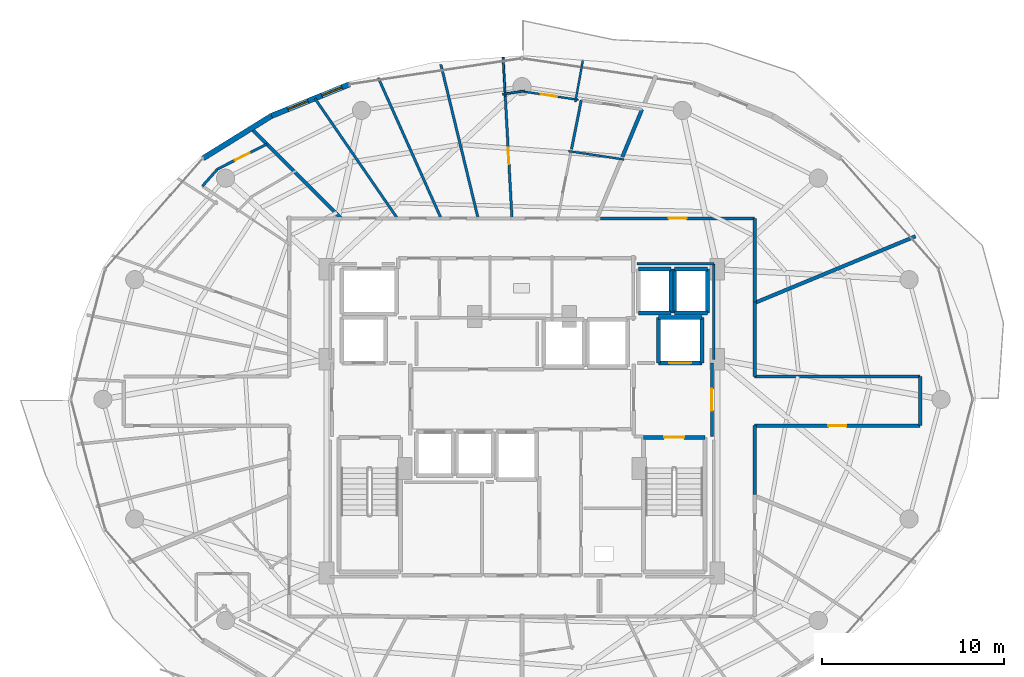
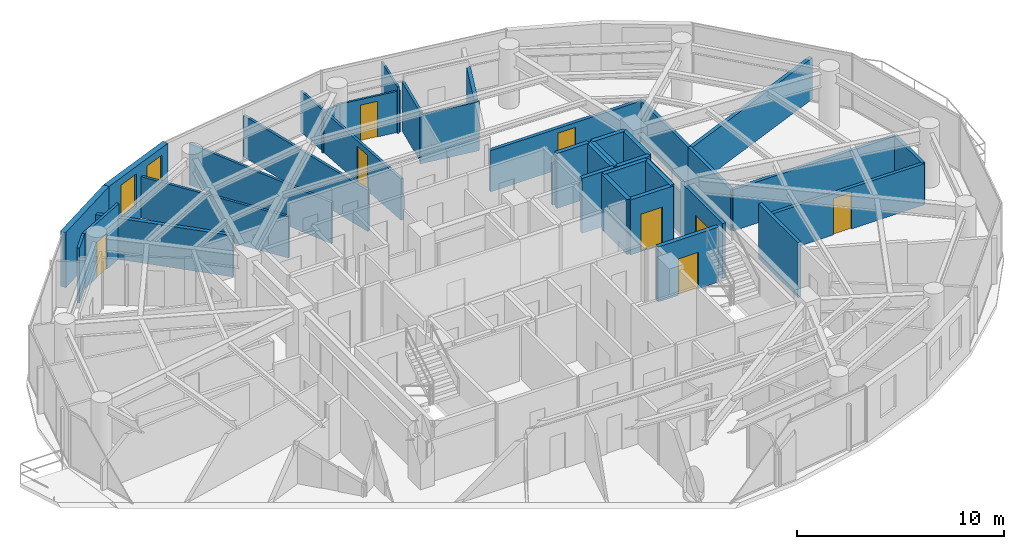
# One storey, part 24 of 28: 39 walls, 8 doors, 2 windows, 10 openings.
"""IFC4 building model written with IfcOpenShell, lengths in metres."""

from ifc_helpers import new_model, si_unit, direction, frame, frame_2d, origin, place, context, subcontext, project, spatial, rectangle, extrude, material, layer, layer_set, type_object, element, fill, save


model = new_model("IFC4")

# Units and contexts
model_context = context("Model", 3, precision=1e-05, world=origin(), true_north=direction((0.0, 1.0)))
body_context = subcontext(model_context, "Body", "Model", "MODEL_VIEW")
ifc_project = project(units=[si_unit("LENGTHUNIT", "METRE"), si_unit("AREAUNIT", "SQUARE_METRE"), si_unit("VOLUMEUNIT", "CUBIC_METRE"), si_unit("PLANEANGLEUNIT", "RADIAN"), si_unit("MASSUNIT", "GRAM", prefix="KILO")], contexts=[model_context])

# Site, building, storey
site_placement = place(None, origin())
site = spatial("IfcSite", under=ifc_project, at=site_placement, CompositionType="ELEMENT")
building_placement = place(site_placement, origin())
building = spatial("IfcBuilding", under=site, at=building_placement, Name="Vorneva Point Tower", CompositionType="ELEMENT")
storey_placement = place(building_placement, frame((0.0, 0.0, 164.10009765625)))
storey = spatial("IfcBuildingStorey", under=building, at=storey_placement, Name="L44", CompositionType="ELEMENT", Elevation=164.10009765625)

# Wall, opening, door
ifc_material_1 = material(Name="Concrete B60 (C50/60)", Category="concrete")
ifc_layer_1 = layer(ifc_material_1, 0.5)
ifc_layer_set_1 = layer_set([ifc_layer_1], Name="Concrete B60 (C50/60)")
wall_type_1 = type_object("IfcWallType", Name="WL-CORE-500", PredefinedType="SHEAR", material=ifc_layer_set_1)
wall_1_placement = place(storey_placement, frame((45.5, 28.0, 0.0), z_axis=(0.0, 0.0, 1.0), x_axis=(1.0, 0.0, 0.0)))
wall_1 = element("IfcWall", 1, at=wall_1_placement, inside=storey, type_object=wall_type_1, Name="L44 Lift FFL2 Shaft Wall -Y", PredefinedType="SHEAR", context=body_context, shape_type="SweptSolid", body=[
    extrude(rectangle(XDim=2.39990234375, YDim=0.219970703125, at=frame_2d((1.199951171875, 0.0))), origin(), (0.0, 0.0, 1.0), 3.239990234375),
])
opening_1_placement = place(wall_1_placement, frame((0.60009765625, 0.0, 0.0)))
opening_1 = element("IfcOpeningElement", 2, at=opening_1_placement, cuts=wall_1, Name="Opening LD-02", PredefinedType="OPENING", context=body_context, shape_type="SweptSolid", body=[
    extrude(rectangle(XDim=1.199951171875, YDim=2.199951171875, at=frame_2d((0.60009765625, 1.10009765625))), frame((0.0, 0.125, 0.0), z_axis=(0.0, -1.0, 0.0), x_axis=(1.0, 0.0, 0.0)), (0.0, 0.0, 1.0), 0.249755859375),
])
ifc_material_2 = material(Name="Brushed stainless steel S304", Category="steel")
door_type_1 = type_object("IfcDoorType", Name="LD-FIRE-1200", OperationType="SLIDING_TO_LEFT", PredefinedType="DOOR", material=ifc_material_2)
door_1_placement = place(opening_1_placement, origin())
door_1 = element("IfcDoor", 3, at=door_1_placement, inside=storey, type_object=door_type_1, Name="L44 Lift FFL2 Sliding Landing Door", OperationType="SLIDING_TO_LEFT", OverallHeight=2.199951171875, OverallWidth=1.199951171875, PredefinedType="DOOR", context=body_context, shape_type="SweptSolid", body=[
    extrude(rectangle(XDim=1.199951171875, YDim=2.199951171875, at=frame_2d((0.60009765625, 1.10009765625))), frame((0.0, 0.02490234375, 0.0), z_axis=(0.0, -1.0, 0.0), x_axis=(1.0, 0.0, 0.0)), (0.0, 0.0, 1.0), 0.050048828125),
])
fill(opening_1, door_1)

# Walls
wall_2_placement = place(storey_placement, frame((47.89990234375, 28.0, 0.0), z_axis=(0.0, 0.0, 1.0), x_axis=(0.0, 1.0, 0.0)))
element("IfcWall", 4, at=wall_2_placement, inside=storey, type_object=wall_type_1, Name="L44 Lift FFL2 Shaft Wall +X", PredefinedType="SHEAR", context=body_context, shape_type="SweptSolid", body=[
    extrude(rectangle(XDim=2.5, YDim=0.219970703125, at=frame_2d((1.25, 0.0))), origin(), (0.0, 0.0, 1.0), 3.239990234375),
])
wall_3_placement = place(storey_placement, frame((47.89990234375, 30.5, 0.0), z_axis=(0.0, 0.0, 1.0), x_axis=(-1.0, 0.0, 0.0)))
element("IfcWall", 5, at=wall_3_placement, inside=storey, type_object=wall_type_1, Name="L44 Lift FFL2 Shaft Wall +Y", PredefinedType="SHEAR", context=body_context, shape_type="SweptSolid", body=[
    extrude(rectangle(XDim=2.39990234375, YDim=0.219970703125, at=frame_2d((1.199951171875, 0.0))), origin(), (0.0, 0.0, 1.0), 3.239990234375),
])
wall_4_placement = place(storey_placement, frame((45.5, 30.5, 0.0), z_axis=(0.0, 0.0, 1.0), x_axis=(0.0, -1.0, 0.0)))
element("IfcWall", 6, at=wall_4_placement, inside=storey, type_object=wall_type_1, Name="L44 Lift FFL2 Shaft Wall -X", PredefinedType="SHEAR", context=body_context, shape_type="SweptSolid", body=[
    extrude(rectangle(XDim=2.5, YDim=0.219970703125, at=frame_2d((1.25, 0.0))), origin(), (0.0, 0.0, 1.0), 3.239990234375),
])

# Wall, openings, windows
ifc_material_3 = material(Name="Precast concrete B50 (C40/50)", Category="concrete")
ifc_layer_2 = layer(ifc_material_3, 0.300048828125)
ifc_layer_set_2 = layer_set([ifc_layer_2], Name="Precast concrete B50 (C40/50)")
wall_type_2 = type_object("IfcWallType", Name="WL-EXT-300", PredefinedType="STANDARD", material=ifc_layer_set_2)
wall_5_placement = place(storey_placement, frame((28.509521484375, 43.32275390625, 0.0), z_axis=(0.0, 0.0, 1.0), x_axis=(-0.927156504392, -0.374674280359, 0.0)))
wall_5 = element("IfcWall", 7, at=wall_5_placement, inside=storey, type_object=wall_type_2, Name="L44 Pale-Metal Facade Spandrel Wall 06.1", PredefinedType="STANDARD", context=body_context, shape_type="SweptSolid", body=[
    extrude(rectangle(XDim=4.62451171875, YDim=0.300048828125, at=frame_2d((2.312255859375, 0.0))), origin(), (0.0, 0.0, 1.0), 3.239990234375),
])
opening_2_placement = place(wall_5_placement, frame((0.4365234375, 0.0, 0.85009765625)))
opening_2 = element("IfcOpeningElement", 8, at=opening_2_placement, cuts=wall_5, Name="Opening W-04", PredefinedType="OPENING", context=body_context, shape_type="SweptSolid", body=[
    extrude(rectangle(XDim=1.199951171875, YDim=1.949951171875, at=frame_2d((0.60009765625, 0.97509765625))), frame((0.0, 0.1650390625, 0.0), z_axis=(0.0, -1.0, 0.0), x_axis=(1.0, 0.0, 0.0)), (0.0, 0.0, 1.0), 0.329833984375),
])
opening_3_placement = place(wall_5_placement, frame((2.453857421875, 0.0, 0.85009765625)))
opening_3 = element("IfcOpeningElement", 9, at=opening_3_placement, cuts=wall_5, Name="Opening W-04", PredefinedType="OPENING", context=body_context, shape_type="SweptSolid", body=[
    extrude(rectangle(XDim=1.199951171875, YDim=1.949951171875, at=frame_2d((0.60009765625, 0.97509765625))), frame((0.0, 0.1650390625, 0.0), z_axis=(0.0, -1.0, 0.0), x_axis=(1.0, 0.0, 0.0)), (0.0, 0.0, 1.0), 0.329833984375),
])
ifc_material_4 = material(Name="Double low-e laminated glass IGU", Category="glass")
window_type = type_object("IfcWindowType", Name="WN-RES-1200", PartitioningType="SINGLE_PANEL", PredefinedType="WINDOW", material=ifc_material_4)
window_1_placement = place(opening_2_placement, origin())
window_1 = element("IfcWindow", 10, at=window_1_placement, inside=storey, type_object=window_type, Name="L44 Dwelling Vision Window 01", OverallHeight=1.949951171875, OverallWidth=1.199951171875, PartitioningType="SINGLE_PANEL", PredefinedType="WINDOW", context=body_context, shape_type="SweptSolid", body=[
    extrude(rectangle(XDim=1.199951171875, YDim=1.949951171875, at=frame_2d((0.60009765625, 0.97509765625))), frame((0.0, 0.030029296875, 0.0), z_axis=(0.0, -1.0, 0.0), x_axis=(1.0, 0.0, 0.0)), (0.0, 0.0, 1.0), 0.06005859375),
])
fill(opening_2, window_1)
window_2_placement = place(opening_3_placement, origin())
window_2 = element("IfcWindow", 11, at=window_2_placement, inside=storey, type_object=window_type, Name="L44 Dwelling Vision Window 02", OverallHeight=1.949951171875, OverallWidth=1.199951171875, PartitioningType="SINGLE_PANEL", PredefinedType="WINDOW", context=body_context, shape_type="SweptSolid", body=[
    extrude(rectangle(XDim=1.199951171875, YDim=1.949951171875, at=frame_2d((0.60009765625, 0.97509765625))), frame((0.0, 0.030029296875, 0.0), z_axis=(0.0, -1.0, 0.0), x_axis=(1.0, 0.0, 0.0)), (0.0, 0.0, 1.0), 0.06005859375),
])
fill(opening_3, window_2)

# Walls
wall_6_placement = place(storey_placement, frame((24.221923828125, 41.590087890625, 0.0), z_axis=(0.0, 0.0, 1.0), x_axis=(-0.849721181976, -0.527232313977, 0.0)))
element("IfcWall", 12, at=wall_6_placement, inside=storey, type_object=wall_type_2, Name="L44 Pale-Metal Facade Spandrel Wall 06.2", PredefinedType="STANDARD", context=body_context, shape_type="SweptSolid", body=[
    extrude(rectangle(XDim=4.422607421875, YDim=0.300048828125, at=frame_2d((2.21142578125, 0.0))), origin(), (0.0, 0.0, 1.0), 3.239990234375),
])
ifc_material_5 = material(Name="Fire-rated acoustic gypsum stud partition", Category="gypsum")
ifc_layer_3 = layer(ifc_material_5, 0.110107421875)
ifc_layer_set_3 = layer_set([ifc_layer_3], Name="Fire-rated acoustic gypsum stud partition")
wall_type_3 = type_object("IfcWallType", Name="WL-PART-110", PredefinedType="PARTITIONING", material=ifc_layer_set_3)
wall_7_placement = place(storey_placement, frame((41.349853515625, 44.639892578125, 0.0), z_axis=(0.0, 0.0, 1.0), x_axis=(-0.176977699102, -0.984214861715, 0.0)))
element("IfcWall", 13, at=wall_7_placement, inside=storey, type_object=wall_type_3, Name="L44 Interior Partition 067", PredefinedType="PARTITIONING", context=body_context, shape_type="SweptSolid", body=[
    extrude(rectangle(XDim=2.3203125, YDim=0.110107421875, at=frame_2d((1.16015625, 0.0))), origin(), (0.0, 0.0, 1.0), 2.727783203125),
])

# Wall, opening, door
wall_8_placement = place(storey_placement, frame((41.102294921875, 42.47314453125, 0.0), z_axis=(0.0, 0.0, 1.0), x_axis=(-0.98887178047, 0.148770298749, 0.0)))
wall_8 = element("IfcWall", 14, at=wall_8_placement, inside=storey, type_object=wall_type_3, Name="L44 Interior Partition 068", PredefinedType="PARTITIONING", context=body_context, shape_type="SweptSolid", body=[
    extrude(rectangle(XDim=3.277099609375, YDim=0.110107421875, at=frame_2d((1.638671875, 0.0))), origin(), (0.0, 0.0, 1.0), 2.431884765625),
])
opening_4_placement = place(wall_8_placement, frame((1.188720703125, 0.0, 0.0)))
opening_4 = element("IfcOpeningElement", 15, at=opening_4_placement, cuts=wall_8, Name="Opening ID-01", PredefinedType="OPENING", context=body_context, shape_type="SweptSolid", body=[
    extrude(rectangle(XDim=0.89990234375, YDim=2.10009765625, at=frame_2d((0.449951171875, 1.050048828125))), frame((0.0, 0.06982421875, 0.0), z_axis=(0.0, -1.0, 0.0), x_axis=(1.0, 0.0, 0.0)), (0.0, 0.0, 1.0), 0.139892578125),
])
ifc_material_6 = material(Name="Engineered oak fire-rated door leaf", Category="wood")
door_type_2 = type_object("IfcDoorType", Name="DR-ROOM-900", OperationType="NOTDEFINED", PredefinedType="DOOR", material=ifc_material_6)
door_2_placement = place(opening_4_placement, origin())
door_2 = element("IfcDoor", 16, at=door_2_placement, inside=storey, type_object=door_type_2, Name="L44 Door Living and Dining Room L44-01 / Kitchen L44-01", OperationType="SINGLE_SWING_LEFT", OverallHeight=2.10009765625, OverallWidth=0.89990234375, PredefinedType="DOOR", context=body_context, shape_type="SweptSolid", body=[
    extrude(rectangle(XDim=0.89990234375, YDim=2.10009765625, at=frame_2d((0.449951171875, 1.050048828125))), frame((0.0, 0.02490234375, 0.0), z_axis=(0.0, -1.0, 0.0), x_axis=(1.0, 0.0, 0.0)), (0.0, 0.0, 1.0), 0.050048828125),
])
fill(opening_4, door_2)

# Walls
wall_9_placement = place(storey_placement, frame((38.138427734375, 42.960693359375, 0.0), z_axis=(0.0, 0.0, 1.0), x_axis=(-0.988920139242, -0.148448503534, 0.0)))
element("IfcWall", 17, at=wall_9_placement, inside=storey, type_object=wall_type_3, Name="L44 Interior Partition 069", PredefinedType="PARTITIONING", context=body_context, shape_type="SweptSolid", body=[
    extrude(rectangle(XDim=1.21533203125, YDim=0.110107421875, at=frame_2d((0.607666015625, 0.0))), origin(), (0.0, 0.0, 1.0), 2.431884765625),
])
wall_10_placement = place(storey_placement, frame((43.611328125, 39.192138671875, 0.0), z_axis=(0.0, 0.0, 1.0), x_axis=(-0.988860105068, 0.148847884116, 0.0)))
element("IfcWall", 18, at=wall_10_placement, inside=storey, type_object=wall_type_3, Name="L44 Interior Partition 074", PredefinedType="PARTITIONING", context=body_context, shape_type="SweptSolid", body=[
    extrude(rectangle(XDim=3.08203125, YDim=0.110107421875, at=frame_2d((1.541015625, 0.0))), origin(), (0.0, 0.0, 1.0), 2.885986328125),
])
wall_11_placement = place(storey_placement, frame((36.96435546875, 44.812744140625, 0.0), z_axis=(0.0, 0.0, 1.0), x_axis=(0.054949193079, -0.998489151759, 0.0)))
element("IfcWall", 19, at=wall_11_placement, inside=storey, type_object=wall_type_3, Name="L44 Interior Partition 076", PredefinedType="PARTITIONING", context=body_context, shape_type="SweptSolid", body=[
    extrude(rectangle(XDim=2.15478515625, YDim=0.110107421875, at=frame_2d((1.077392578125, 0.0))), origin(), (0.0, 0.0, 1.0), 2.431884765625),
])
ifc_layer_4 = layer(ifc_material_5, 0.139892578125)
ifc_layer_set_4 = layer_set([ifc_layer_4], Name="Fire-rated acoustic gypsum stud partition")
wall_type_4 = type_object("IfcWallType", Name="WL-PART-140", PredefinedType="PARTITIONING", material=ifc_layer_set_4)
wall_12_placement = place(storey_placement, frame((40.729248046875, 39.767333984375, 0.0), z_axis=(0.0, 0.0, 1.0), x_axis=(0.194501549107, 0.980902210924, 0.0)))
element("IfcWall", 20, at=wall_12_placement, inside=storey, type_object=wall_type_4, Name="L44 Interior Partition 071", PredefinedType="PARTITIONING", context=body_context, shape_type="SweptSolid", body=[
    extrude(rectangle(XDim=2.73388671875, YDim=0.139892578125, at=frame_2d((1.366943359375, 0.0))), origin(), (0.0, 0.0, 1.0), 2.885986328125),
])

# Wall, opening, door
wall_13_placement = place(storey_placement, frame((37.074951171875, 42.801025390625, 0.0), z_axis=(0.0, 0.0, 1.0), x_axis=(0.054937930554, -0.998489771498, 0.0)))
wall_13 = element("IfcWall", 21, at=wall_13_placement, inside=storey, type_object=wall_type_4, Name="L44 Interior Partition 072", PredefinedType="PARTITIONING", context=body_context, shape_type="SweptSolid", body=[
    extrude(rectangle(XDim=6.861328125, YDim=0.139892578125, at=frame_2d((3.4306640625, 0.0))), origin(), (0.0, 0.0, 1.0), 2.431884765625),
])
opening_5_placement = place(wall_13_placement, frame((2.980712890625, 0.0, 0.0)))
opening_5 = element("IfcOpeningElement", 22, at=opening_5_placement, cuts=wall_13, Name="Opening ID-01", PredefinedType="OPENING", context=body_context, shape_type="SweptSolid", body=[
    extrude(rectangle(XDim=0.89990234375, YDim=2.10009765625, at=frame_2d((0.449951171875, 1.050048828125))), frame((0.0, 0.0849609375, 0.0), z_axis=(0.0, -1.0, 0.0), x_axis=(1.0, 0.0, 0.0)), (0.0, 0.0, 1.0), 0.169677734375),
])
door_3_placement = place(opening_5_placement, origin())
door_3 = element("IfcDoor", 23, at=door_3_placement, inside=storey, type_object=door_type_2, Name="L44 Door Living and Dining Room L44-01 / Master Bedroom L44-01.1", OperationType="SINGLE_SWING_RIGHT", OverallHeight=2.10009765625, OverallWidth=0.89990234375, PredefinedType="DOOR", context=body_context, shape_type="SweptSolid", body=[
    extrude(rectangle(XDim=0.89990234375, YDim=2.10009765625, at=frame_2d((0.449951171875, 1.050048828125))), frame((0.0, 0.02490234375, 0.0), z_axis=(0.0, -1.0, 0.0), x_axis=(1.0, 0.0, 0.0)), (0.0, 0.0, 1.0), 0.050048828125),
])
fill(opening_5, door_3)

# Walls
wall_14_placement = place(storey_placement, frame((33.5400390625, 44.4169921875, 0.0), z_axis=(0.0, 0.0, 1.0), x_axis=(0.235427577375, -0.971891895126, 0.0)))
element("IfcWall", 24, at=wall_14_placement, inside=storey, type_object=wall_type_4, Name="L44 Interior Partition 078", PredefinedType="PARTITIONING", context=body_context, shape_type="SweptSolid", body=[
    extrude(rectangle(XDim=8.7119140625, YDim=0.139892578125, at=frame_2d((4.35595703125, 0.0))), origin(), (0.0, 0.0, 1.0), 2.431884765625),
])
wall_15_placement = place(storey_placement, frame((30.097900390625, 43.68603515625, 0.0), z_axis=(0.0, 0.0, 1.0), x_axis=(0.407891512679, -0.913030401402, 0.0)))
element("IfcWall", 25, at=wall_15_placement, inside=storey, type_object=wall_type_4, Name="L44 Interior Partition 079", PredefinedType="PARTITIONING", context=body_context, shape_type="SweptSolid", body=[
    extrude(rectangle(XDim=8.472900390625, YDim=0.139892578125, at=frame_2d((4.236328125, 0.0))), origin(), (0.0, 0.0, 1.0), 2.431884765625),
])
wall_16_placement = place(storey_placement, frame((26.60791015625, 42.552978515625, 0.0), z_axis=(0.0, 0.0, 1.0), x_axis=(0.566919141794, -0.823773443774, 0.0)))
element("IfcWall", 26, at=wall_16_placement, inside=storey, type_object=wall_type_4, Name="L44 Interior Partition 080", PredefinedType="PARTITIONING", context=body_context, shape_type="SweptSolid", body=[
    extrude(rectangle(XDim=8.015625, YDim=0.139892578125, at=frame_2d((4.0078125, 0.0))), origin(), (0.0, 0.0, 1.0), 2.431884765625),
])
wall_17_placement = place(storey_placement, frame((20.427978515625, 37.72607421875, 0.0), z_axis=(0.0, 0.0, 1.0), x_axis=(0.662228388064, 0.749302049938, 0.0)))
element("IfcWall", 27, at=wall_17_placement, inside=storey, type_object=wall_type_4, Name="L44 Interior Partition 088", PredefinedType="PARTITIONING", context=body_context, shape_type="SweptSolid", body=[
    extrude(rectangle(XDim=1.25048828125, YDim=0.139892578125, at=frame_2d((0.625244140625, 0.0))), origin(), (0.0, 0.0, 1.0), 3.239990234375),
])

# Wall, opening, door
wall_18_placement = place(storey_placement, frame((21.256103515625, 38.6630859375, 0.0), z_axis=(0.0, 0.0, 1.0), x_axis=(0.892522213595, 0.451003434842, 0.0)))
wall_18 = element("IfcWall", 28, at=wall_18_placement, inside=storey, type_object=wall_type_4, Name="L44 Interior Partition 089", PredefinedType="PARTITIONING", context=body_context, shape_type="SweptSolid", body=[
    extrude(rectangle(XDim=3.037353515625, YDim=0.139892578125, at=frame_2d((1.5185546875, 0.0))), origin(), (0.0, 0.0, 1.0), 3.239990234375),
])
opening_6_placement = place(wall_18_placement, frame((1.06884765625, 0.0, 0.0)))
opening_6 = element("IfcOpeningElement", 29, at=opening_6_placement, cuts=wall_18, Name="Opening ID-01", PredefinedType="OPENING", context=body_context, shape_type="SweptSolid", body=[
    extrude(rectangle(XDim=0.89990234375, YDim=2.10009765625, at=frame_2d((0.449951171875, 1.050048828125))), frame((0.0, 0.0849609375, 0.0), z_axis=(0.0, -1.0, 0.0), x_axis=(1.0, 0.0, 0.0)), (0.0, 0.0, 1.0), 0.169677734375),
])
door_4_placement = place(opening_6_placement, origin())
door_4 = element("IfcDoor", 30, at=door_4_placement, inside=storey, type_object=door_type_2, Name="L44 Door Living and Dining Room L44-02 / Study Room L44-02", OperationType="SINGLE_SWING_RIGHT", OverallHeight=2.10009765625, OverallWidth=0.89990234375, PredefinedType="DOOR", context=body_context, shape_type="SweptSolid", body=[
    extrude(rectangle(XDim=0.89990234375, YDim=2.10009765625, at=frame_2d((0.449951171875, 1.050048828125))), frame((0.0, 0.02490234375, 0.0), z_axis=(0.0, -1.0, 0.0), x_axis=(1.0, 0.0, 0.0)), (0.0, 0.0, 1.0), 0.050048828125),
])
fill(opening_6, door_4)

# Walls
wall_19_placement = place(storey_placement, frame((48.550048828125, 28.196044921875, 0.0), z_axis=(0.0, 0.0, 1.0), x_axis=(0.0, 1.0, 0.0)))
element("IfcWall", 31, at=wall_19_placement, inside=storey, type_object=wall_type_4, Name="L44 Interior Closure Partition 137", PredefinedType="PARTITIONING", context=body_context, shape_type="SweptSolid", body=[
    extrude(rectangle(XDim=5.25390625, YDim=0.139892578125, at=frame_2d((2.626953125, 0.0))), origin(), (0.0, 0.0, 1.0), 2.431884765625),
])
wall_20_placement = place(storey_placement, frame((48.550048828125, 33.449951171875, 0.0), z_axis=(0.0, 0.0, 1.0), x_axis=(-1.0, 0.0, 0.0)))
element("IfcWall", 32, at=wall_20_placement, inside=storey, type_object=wall_type_4, Name="L44 Interior Closure Partition 138", PredefinedType="PARTITIONING", context=body_context, shape_type="SweptSolid", body=[
    extrude(rectangle(XDim=4.2099609375, YDim=0.139892578125, at=frame_2d((2.10498046875, 0.0))), origin(), (0.0, 0.0, 1.0), 2.431884765625),
])

# Wall, opening, door
ifc_material_7 = material(Name="Autoclaved aerated concrete blockwork", Category="masonry")
ifc_layer_5 = layer(ifc_material_7, 0.179931640625)
ifc_layer_set_5 = layer_set([ifc_layer_5], Name="Autoclaved aerated concrete blockwork")
wall_type_5 = type_object("IfcWallType", Name="WL-PART-180", PredefinedType="PARTITIONING", material=ifc_layer_set_5)
wall_21_placement = place(storey_placement, frame((48.449951171875, 23.949951171875, 0.0), z_axis=(0.0, 0.0, 1.0), x_axis=(0.0, 1.0, 0.0)))
wall_21 = element("IfcWall", 33, at=wall_21_placement, inside=storey, type_object=wall_type_5, Name="L44 Interior Partition 005", PredefinedType="PARTITIONING", context=body_context, shape_type="SweptSolid", body=[
    extrude(rectangle(XDim=4.050048828125, YDim=0.179931640625, at=frame_2d((2.02490234375, 0.0))), origin(), (0.0, 0.0, 1.0), 3.239990234375),
])
opening_7_placement = place(wall_21_placement, frame((1.425048828125, 0.0, 0.0)))
opening_7 = element("IfcOpeningElement", 34, at=opening_7_placement, cuts=wall_21, Name="Opening FD-02", PredefinedType="OPENING", context=body_context, shape_type="SweptSolid", body=[
    extrude(rectangle(XDim=1.199951171875, YDim=2.14990234375, at=frame_2d((0.60009765625, 1.074951171875))), frame((0.0, 0.10498046875, 0.0), z_axis=(0.0, -1.0, 0.0), x_axis=(1.0, 0.0, 0.0)), (0.0, 0.0, 1.0), 0.209716796875),
])
ifc_material_8 = material(Name="Fire-rated powder-coated steel", Category="steel")
door_type_3 = type_object("IfcDoorType", Name="DR-FFL-1200", OperationType="NOTDEFINED", PredefinedType="DOOR", material=ifc_material_8)
door_5_placement = place(opening_7_placement, origin())
door_5 = element("IfcDoor", 35, at=door_5_placement, inside=storey, type_object=door_type_3, Name="L44 Door East Firefighting Lobby / L44 Circulation Corridor", OperationType="SINGLE_SWING_LEFT", OverallHeight=2.14990234375, OverallWidth=1.199951171875, PredefinedType="DOOR", context=body_context, shape_type="SweptSolid", body=[
    extrude(rectangle(XDim=1.199951171875, YDim=2.14990234375, at=frame_2d((0.60009765625, 1.074951171875))), frame((0.0, 0.02490234375, 0.0), z_axis=(0.0, -1.0, 0.0), x_axis=(1.0, 0.0, 0.0)), (0.0, 0.0, 1.0), 0.050048828125),
])
fill(opening_7, door_5)

# Wall
wall_22_placement = place(storey_placement, frame((50.800048828125, 20.758056640625, 0.0), z_axis=(0.0, 0.0, 1.0), x_axis=(0.0, 1.0, 0.0)))
element("IfcWall", 36, at=wall_22_placement, inside=storey, type_object=wall_type_5, Name="L44 Interior Partition 059", PredefinedType="PARTITIONING", context=body_context, shape_type="SweptSolid", body=[
    extrude(rectangle(XDim=3.7919921875, YDim=0.179931640625, at=frame_2d((1.89599609375, 0.0))), origin(), (0.0, 0.0, 1.0), 3.239990234375),
])

# Wall, opening, door
wall_23_placement = place(storey_placement, frame((50.800048828125, 24.550048828125, 0.0), z_axis=(0.0, 0.0, 1.0), x_axis=(1.0, 0.0, 0.0)))
wall_23 = element("IfcWall", 37, at=wall_23_placement, inside=storey, type_object=wall_type_5, Name="L44 Interior Partition 060", PredefinedType="PARTITIONING", context=body_context, shape_type="SweptSolid", body=[
    extrude(rectangle(XDim=9.099853515625, YDim=0.179931640625, at=frame_2d((4.5498046875, 0.0))), origin(), (0.0, 0.0, 1.0), 2.431884765625),
])
opening_8_placement = place(wall_23_placement, frame((4.050048828125, 0.0, 0.0)))
opening_8 = element("IfcOpeningElement", 38, at=opening_8_placement, cuts=wall_23, Name="Opening UD-01", PredefinedType="OPENING", context=body_context, shape_type="SweptSolid", body=[
    extrude(rectangle(XDim=1.0, YDim=2.14990234375, at=frame_2d((0.5, 1.074951171875))), frame((0.0, 0.10498046875, 0.0), z_axis=(0.0, -1.0, 0.0), x_axis=(1.0, 0.0, 0.0)), (0.0, 0.0, 1.0), 0.209716796875),
])
door_type_4 = type_object("IfcDoorType", Name="DR-UNIT-1000", OperationType="NOTDEFINED", PredefinedType="DOOR", material=ifc_material_6)
door_6_placement = place(opening_8_placement, origin())
door_6 = element("IfcDoor", 39, at=door_6_placement, inside=storey, type_object=door_type_4, Name="L44 Door L44 Circulation Corridor / Residents Co-Working Office L44-05", OperationType="SINGLE_SWING_LEFT", OverallHeight=2.14990234375, OverallWidth=1.0, PredefinedType="DOOR", context=body_context, shape_type="SweptSolid", body=[
    extrude(rectangle(XDim=1.0, YDim=2.14990234375, at=frame_2d((0.5, 1.074951171875))), frame((0.0, 0.02490234375, 0.0), z_axis=(0.0, -1.0, 0.0), x_axis=(1.0, 0.0, 0.0)), (0.0, 0.0, 1.0), 0.050048828125),
])
fill(opening_8, door_6)

# Walls
wall_24_placement = place(storey_placement, frame((59.89990234375, 24.550048828125, 0.0), z_axis=(0.0, 0.0, 1.0), x_axis=(0.0, 1.0, 0.0)))
element("IfcWall", 40, at=wall_24_placement, inside=storey, type_object=wall_type_5, Name="L44 Interior Partition 061", PredefinedType="PARTITIONING", context=body_context, shape_type="SweptSolid", body=[
    extrude(rectangle(XDim=2.699951171875, YDim=0.179931640625, at=frame_2d((1.35009765625, 0.0))), origin(), (0.0, 0.0, 1.0), 2.431884765625),
])
wall_25_placement = place(storey_placement, frame((59.89990234375, 27.25, 0.0), z_axis=(0.0, 0.0, 1.0), x_axis=(-1.0, 0.0, 0.0)))
element("IfcWall", 41, at=wall_25_placement, inside=storey, type_object=wall_type_5, Name="L44 Interior Partition 062", PredefinedType="PARTITIONING", context=body_context, shape_type="SweptSolid", body=[
    extrude(rectangle(XDim=9.099853515625, YDim=0.179931640625, at=frame_2d((4.5498046875, 0.0))), origin(), (0.0, 0.0, 1.0), 2.431884765625),
])
wall_26_placement = place(storey_placement, frame((50.800048828125, 27.25, 0.0), z_axis=(0.0, 0.0, 1.0), x_axis=(0.0, 1.0, 0.0)))
element("IfcWall", 42, at=wall_26_placement, inside=storey, type_object=wall_type_5, Name="L44 Interior Partition 063", PredefinedType="PARTITIONING", context=body_context, shape_type="SweptSolid", body=[
    extrude(rectangle(XDim=4.116943359375, YDim=0.179931640625, at=frame_2d((2.05859375, 0.0))), origin(), (0.0, 0.0, 1.0), 2.431884765625),
])
wall_27_placement = place(storey_placement, frame((50.800048828125, 31.366943359375, 0.0), z_axis=(0.0, 0.0, 1.0), x_axis=(0.0, 1.0, 0.0)))
element("IfcWall", 43, at=wall_27_placement, inside=storey, type_object=wall_type_5, Name="L44 Interior Partition 064", PredefinedType="PARTITIONING", context=body_context, shape_type="SweptSolid", body=[
    extrude(rectangle(XDim=4.5830078125, YDim=0.179931640625, at=frame_2d((2.29150390625, 0.0))), origin(), (0.0, 0.0, 1.0), 2.431884765625),
])

# Wall, opening, door
wall_28_placement = place(storey_placement, frame((50.800048828125, 35.949951171875, 0.0), z_axis=(0.0, 0.0, 1.0), x_axis=(-1.0, 0.0, 0.0)))
wall_28 = element("IfcWall", 44, at=wall_28_placement, inside=storey, type_object=wall_type_5, Name="L44 Interior Partition 065", PredefinedType="PARTITIONING", context=body_context, shape_type="SweptSolid", body=[
    extrude(rectangle(XDim=8.47412109375, YDim=0.179931640625, at=frame_2d((4.237060546875, 0.0))), origin(), (0.0, 0.0, 1.0), 2.431884765625),
])
opening_9_placement = place(wall_28_placement, frame((3.737060546875, 0.0, 0.0)))
opening_9 = element("IfcOpeningElement", 45, at=opening_9_placement, cuts=wall_28, Name="Opening UD-01", PredefinedType="OPENING", context=body_context, shape_type="SweptSolid", body=[
    extrude(rectangle(XDim=1.0, YDim=2.14990234375, at=frame_2d((0.5, 1.074951171875))), frame((0.0, 0.10498046875, 0.0), z_axis=(0.0, -1.0, 0.0), x_axis=(1.0, 0.0, 0.0)), (0.0, 0.0, 1.0), 0.209716796875),
])
door_7_placement = place(opening_9_placement, origin())
door_7 = element("IfcDoor", 46, at=door_7_placement, inside=storey, type_object=door_type_4, Name="L44 Door L44 Circulation Corridor / Residents Fitness Studio L44-06", OperationType="SINGLE_SWING_RIGHT", OverallHeight=2.14990234375, OverallWidth=1.0, PredefinedType="DOOR", context=body_context, shape_type="SweptSolid", body=[
    extrude(rectangle(XDim=1.0, YDim=2.14990234375, at=frame_2d((0.5, 1.074951171875))), frame((0.0, 0.02490234375, 0.0), z_axis=(0.0, -1.0, 0.0), x_axis=(1.0, 0.0, 0.0)), (0.0, 0.0, 1.0), 0.050048828125),
])
fill(opening_9, door_7)

# Walls
ifc_layer_6 = layer(ifc_material_7, 0.199951171875)
ifc_layer_set_6 = layer_set([ifc_layer_6], Name="Autoclaved aerated concrete blockwork")
wall_type_6 = type_object("IfcWallType", Name="WL-PART-200", PredefinedType="PARTITIONING", material=ifc_layer_set_6)
wall_29_placement = place(storey_placement, frame((43.526611328125, 39.34228515625, 0.0), z_axis=(0.0, 0.0, 1.0), x_axis=(0.38263998022, 0.923897529782, 0.0)))
element("IfcWall", 47, at=wall_29_placement, inside=storey, type_object=wall_type_6, Name="L44 Interior Partition 077", PredefinedType="PARTITIONING", context=body_context, shape_type="SweptSolid", body=[
    extrude(rectangle(XDim=2.818115234375, YDim=0.199951171875, at=frame_2d((1.4091796875, 0.0))), origin(), (0.0, 0.0, 1.0), 2.885986328125),
])
wall_30_placement = place(storey_placement, frame((23.10498046875, 40.89501953125, 0.0), z_axis=(0.0, 0.0, 1.0), x_axis=(0.707106781187, -0.707106781187, 0.0)))
element("IfcWall", 48, at=wall_30_placement, inside=storey, type_object=wall_type_6, Name="L44 Interior Partition 081", PredefinedType="PARTITIONING", context=body_context, shape_type="SweptSolid", body=[
    extrude(rectangle(XDim=6.993408203125, YDim=0.199951171875, at=frame_2d((3.49658203125, 0.0))), origin(), (0.0, 0.0, 1.0), 2.431884765625),
])
wall_31_placement = place(storey_placement, frame((59.64501953125, 34.965087890625, 0.0), z_axis=(0.0, 0.0, 1.0), x_axis=(-0.923902460479, -0.382628074665, 0.0)))
element("IfcWall", 49, at=wall_31_placement, inside=storey, type_object=wall_type_6, Name="L44 Interior Partition 126", PredefinedType="PARTITIONING", context=body_context, shape_type="SweptSolid", body=[
    extrude(rectangle(XDim=9.573486328125, YDim=0.199951171875, at=frame_2d((4.78662109375, 0.0))), origin(), (0.0, 0.0, 1.0), 2.431884765625),
])

# Wall, opening, door
ifc_material_9 = material(Name="Concrete B50 (C40/50)", Category="concrete")
ifc_layer_7 = layer(ifc_material_9, 0.219970703125)
ifc_layer_set_7 = layer_set([ifc_layer_7], Name="Concrete B50 (C40/50)")
wall_type_7 = type_object("IfcWallType", Name="WL-SHFT-220", PredefinedType="SOLIDWALL", material=ifc_layer_set_7)
wall_32_placement = place(storey_placement, frame((44.68994140625, 23.909912109375, 0.0), z_axis=(0.0, 0.0, 1.0), x_axis=(1.0, 0.0, 0.0)))
wall_32 = element("IfcWall", 50, at=wall_32_placement, inside=storey, type_object=wall_type_7, Name="L44 Exit Stair ST2 Shaft Wall near", PredefinedType="SOLIDWALL", context=body_context, shape_type="SweptSolid", body=[
    extrude(rectangle(XDim=3.3701171875, YDim=0.219970703125, at=frame_2d((1.68505859375, 0.0))), origin(), (0.0, 0.0, 1.0), 3.239990234375),
])
opening_10_placement = place(wall_32_placement, frame((1.135009765625, 0.0, 0.0)))
opening_10 = element("IfcOpeningElement", 51, at=opening_10_placement, cuts=wall_32, Name="Opening FD-01", PredefinedType="OPENING", context=body_context, shape_type="SweptSolid", body=[
    extrude(rectangle(XDim=1.10009765625, YDim=2.14990234375, at=frame_2d((0.550048828125, 1.074951171875))), frame((0.0, 0.125, 0.0), z_axis=(0.0, -1.0, 0.0), x_axis=(1.0, 0.0, 0.0)), (0.0, 0.0, 1.0), 0.249755859375),
])
door_type_5 = type_object("IfcDoorType", Name="DR-STAIR-1100", OperationType="NOTDEFINED", PredefinedType="DOOR", material=ifc_material_8)
door_8_placement = place(opening_10_placement, origin())
door_8 = element("IfcDoor", 52, at=door_8_placement, inside=storey, type_object=door_type_5, Name="L44 Exit Stair ST2 Fire Door", OperationType="SINGLE_SWING_LEFT", OverallHeight=2.14990234375, OverallWidth=1.10009765625, PredefinedType="DOOR", context=body_context, shape_type="SweptSolid", body=[
    extrude(rectangle(XDim=1.10009765625, YDim=2.14990234375, at=frame_2d((0.550048828125, 1.074951171875))), frame((0.0, 0.02490234375, 0.0), z_axis=(0.0, -1.0, 0.0), x_axis=(1.0, 0.0, 0.0)), (0.0, 0.0, 1.0), 0.050048828125),
])
fill(opening_10, door_8)

# Walls
wall_33_placement = place(storey_placement, frame((44.39990234375, 30.739990234375, 0.0), z_axis=(0.0, 0.0, 1.0), x_axis=(1.0, 0.0, 0.0)))
element("IfcWall", 53, at=wall_33_placement, inside=storey, type_object=wall_type_7, Name="L44 Lift EX1 Shaft Wall -Y", PredefinedType="SOLIDWALL", context=body_context, shape_type="SweptSolid", body=[
    extrude(rectangle(XDim=1.800048828125, YDim=0.219970703125, at=frame_2d((0.89990234375, 0.0))), origin(), (0.0, 0.0, 1.0), 3.239990234375),
])
wall_34_placement = place(storey_placement, frame((46.199951171875, 30.739990234375, 0.0), z_axis=(0.0, 0.0, 1.0), x_axis=(0.0, 1.0, 0.0)))
element("IfcWall", 54, at=wall_34_placement, inside=storey, type_object=wall_type_7, Name="L44 Lift EX1 Shaft Wall +X", PredefinedType="SOLIDWALL", context=body_context, shape_type="SweptSolid", body=[
    extrude(rectangle(XDim=2.419921875, YDim=0.219970703125, at=frame_2d((1.2099609375, 0.0))), origin(), (0.0, 0.0, 1.0), 3.239990234375),
])
for number, where, z_axis, x_axis, name in (
    (55, (46.199951171875, 33.159912109375, 0.0), (0.0, 0.0, 1.0), (-1.0, 0.0, 0.0), "L44 Lift EX1 Shaft Wall +Y"),
    (56, (46.39990234375, 30.739990234375, 0.0), (0.0, 0.0, 1.0), (1.0, 0.0, 0.0), "L44 Lift EX2 Shaft Wall -Y"),
):
    element("IfcWall", number, at=place(storey_placement, frame(where, z_axis=z_axis, x_axis=x_axis)), inside=storey, type_object=wall_type_7, Name=name, PredefinedType="SOLIDWALL", context=body_context, shape_type="SweptSolid", body=[
        extrude(rectangle(XDim=1.800048828125, YDim=0.219970703125, at=frame_2d((0.89990234375, 0.0))), origin(), (0.0, 0.0, 1.0), 3.239990234375),
    ])
wall_35_placement = place(storey_placement, frame((48.199951171875, 30.739990234375, 0.0), z_axis=(0.0, 0.0, 1.0), x_axis=(0.0, 1.0, 0.0)))
element("IfcWall", 57, at=wall_35_placement, inside=storey, type_object=wall_type_7, Name="L44 Lift EX2 Shaft Wall +X", PredefinedType="SOLIDWALL", context=body_context, shape_type="SweptSolid", body=[
    extrude(rectangle(XDim=2.419921875, YDim=0.219970703125, at=frame_2d((1.2099609375, 0.0))), origin(), (0.0, 0.0, 1.0), 3.239990234375),
])
wall_36_placement = place(storey_placement, frame((48.199951171875, 33.159912109375, 0.0), z_axis=(0.0, 0.0, 1.0), x_axis=(-1.0, 0.0, 0.0)))
element("IfcWall", 58, at=wall_36_placement, inside=storey, type_object=wall_type_7, Name="L44 Lift EX2 Shaft Wall +Y", PredefinedType="SOLIDWALL", context=body_context, shape_type="SweptSolid", body=[
    extrude(rectangle(XDim=1.800048828125, YDim=0.219970703125, at=frame_2d((0.89990234375, 0.0))), origin(), (0.0, 0.0, 1.0), 3.239990234375),
])
wall_37_placement = place(storey_placement, frame((46.39990234375, 33.159912109375, 0.0), z_axis=(0.0, 0.0, 1.0), x_axis=(0.0, -1.0, 0.0)))
element("IfcWall", 59, at=wall_37_placement, inside=storey, type_object=wall_type_7, Name="L44 Lift EX2 Shaft Wall -X", PredefinedType="SOLIDWALL", context=body_context, shape_type="SweptSolid", body=[
    extrude(rectangle(XDim=2.419921875, YDim=0.219970703125, at=frame_2d((1.2099609375, 0.0))), origin(), (0.0, 0.0, 1.0), 3.239990234375),
])

save(model, "model.ifc")
